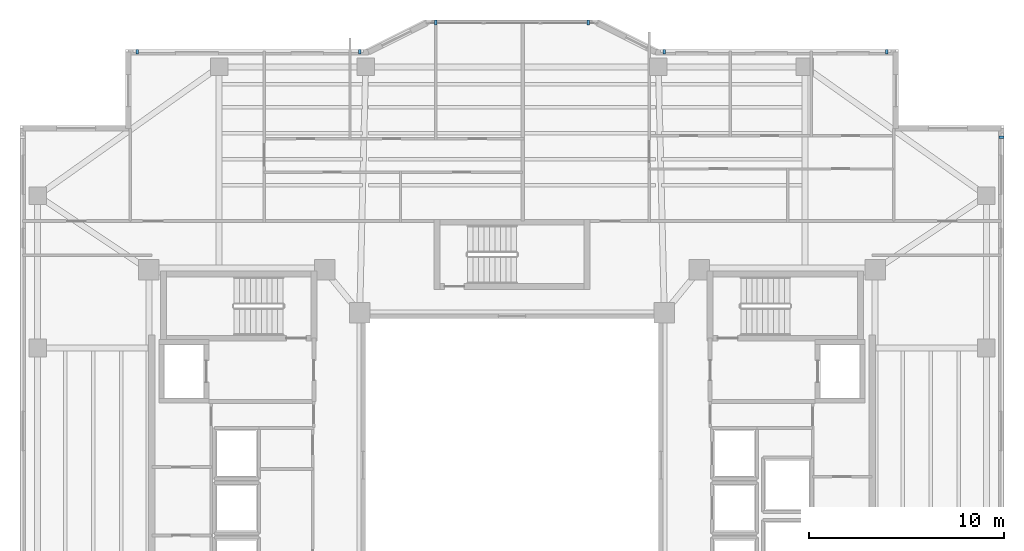
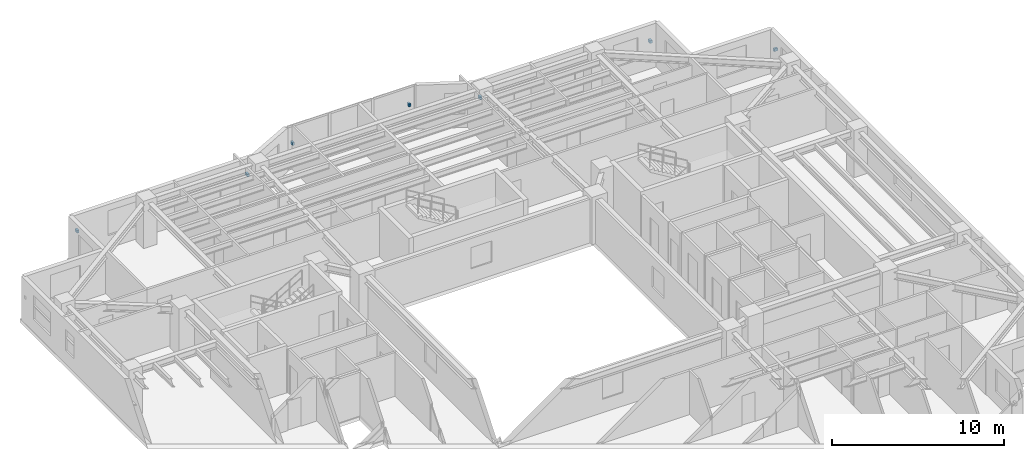
# One storey, part 13 of 16: 7 discrete accessories.
"""IFC4 building model written with IfcOpenShell, lengths in metres."""

from ifc_helpers import new_model, si_unit, direction, frame, origin, origin_2d, place, context, subcontext, project, spatial, rectangle, extrude, material, type_object, element, save


model = new_model("IFC4")

# Units and contexts
model_context = context("Model", 3, precision=1e-05, world=origin(), true_north=direction((0.0, 1.0)))
body_context = subcontext(model_context, "Body", "Model", "MODEL_VIEW")
ifc_project = project(units=[si_unit("LENGTHUNIT", "METRE"), si_unit("AREAUNIT", "SQUARE_METRE"), si_unit("VOLUMEUNIT", "CUBIC_METRE"), si_unit("PLANEANGLEUNIT", "RADIAN"), si_unit("MASSUNIT", "GRAM", prefix="KILO")], contexts=[model_context])

# Site, building, storey
site_placement = place(None, origin())
site = spatial("IfcSite", under=ifc_project, at=site_placement, CompositionType="ELEMENT")
building_placement = place(site_placement, origin())
building = spatial("IfcBuilding", under=site, at=building_placement, Name="Tarnavaz Court Tower", CompositionType="ELEMENT")
storey_placement = place(building_placement, frame((0.0, 0.0, 149.35009765625)))
storey = spatial("IfcBuildingStorey", under=building, at=storey_placement, Name="L40", CompositionType="ELEMENT", Elevation=149.35009765625)

# Discrete accessories
ifc_material = material(Name="Anodised Aluminium 6063-T6", Category="aluminium")
discrete_accessory_type = type_object("IfcDiscreteAccessoryType", Name="DA-BRKT-ALU", PredefinedType="BRACKET", material=ifc_material)
for number, where, z_axis, x_axis, name in (
    (1, (-19.199951171875, 21.169921875, 1.75), (0.0, 0.0, 1.0), (1.0, 0.0, 0.0), "L40 Baguette Outrigger Bracket FBG05-1"),
    (2, (-7.800048828125, 21.169921875, 1.75), (0.0, 0.0, 1.0), (1.0, 0.0, 0.0), "L40 Baguette Outrigger Bracket FBG05-2"),
    (3, (-3.89990234375, 22.669921875, 1.69970703125), (0.0, 0.0, 1.0), (1.0, 0.0, 0.0), "L40 Baguette Outrigger Bracket PBG7-1"),
    (4, (3.89990234375, 22.669921875, 1.69970703125), (0.0, 0.0, 1.0), (1.0, 0.0, 0.0), "L40 Baguette Outrigger Bracket PBG7-2"),
    (5, (7.800048828125, 21.169921875, 1.75), (0.0, 0.0, 1.0), (1.0, 0.0, 0.0), "L40 Baguette Outrigger Bracket FBG09-1"),
    (6, (19.199951171875, 21.169921875, 1.75), (0.0, 0.0, 1.0), (1.0, 0.0, 0.0), "L40 Baguette Outrigger Bracket FBG09-2"),
    (7, (25.070068359375, 16.800048828125, 1.75), (0.0, 0.0, 1.0), (0.0, -1.0, 0.0), "L40 Baguette Outrigger Bracket FBG12-1"),
):
    element("IfcDiscreteAccessory", number, at=place(storey_placement, frame(where, z_axis=z_axis, x_axis=x_axis)), inside=storey, type_object=discrete_accessory_type, Name=name, PredefinedType="BRACKET", context=body_context, shape_type="SweptSolid", body=[
        extrude(rectangle(XDim=0.139892578125, YDim=0.239990234375, at=origin_2d()), origin(), (0.0, 0.0, 1.0), 0.199951171875),
    ])

save(model, "model.ifc")
